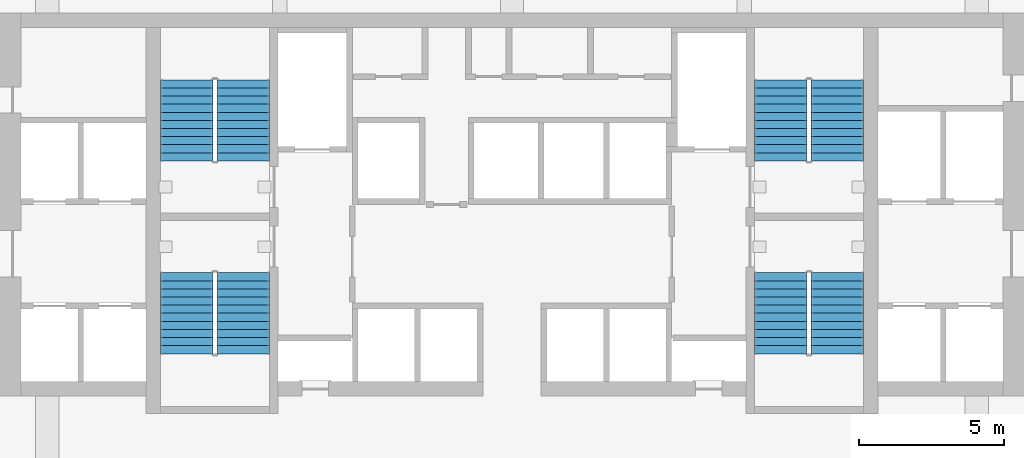
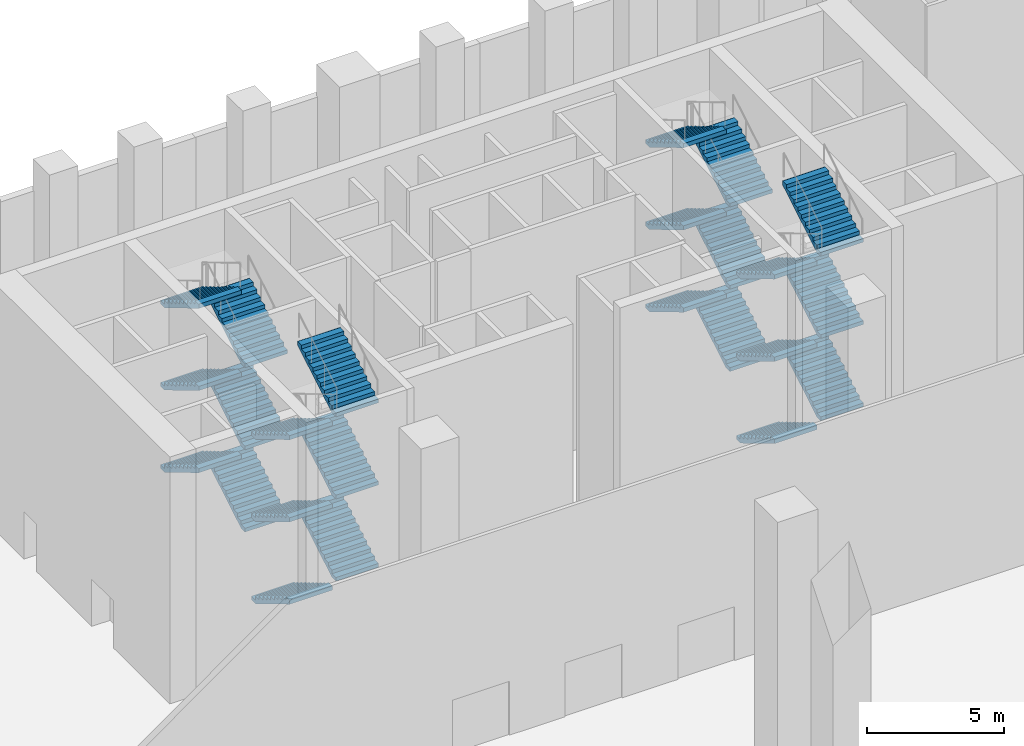
# One storey, part 17 of 31: 24 stair flights, 4 elements without a shape of their own.
"""IFC4 building model written with IfcOpenShell, lengths in metres."""

from ifc_helpers import new_model, si_unit, direction, frame, origin, place, context, subcontext, project, spatial, faceted_brep, source, transform, mapped, material, type_object, element, aggregate, save


model = new_model("IFC4")

# Units and contexts
model_context = context("Model", 3, precision=1e-05, world=origin(), true_north=direction((0.0, 1.0)))
body_context = subcontext(model_context, "Body", "Model", "MODEL_VIEW")
ifc_project = project(units=[si_unit("LENGTHUNIT", "METRE"), si_unit("AREAUNIT", "SQUARE_METRE"), si_unit("VOLUMEUNIT", "CUBIC_METRE"), si_unit("PLANEANGLEUNIT", "RADIAN"), si_unit("MASSUNIT", "GRAM", prefix="KILO")], contexts=[model_context])

# Site, building, storey
site_placement = place(None, origin())
site = spatial("IfcSite", under=ifc_project, at=site_placement, CompositionType="ELEMENT")
building_placement = place(site_placement, origin())
building = spatial("IfcBuilding", under=site, at=building_placement, Name="Calabash Gate Tower", CompositionType="ELEMENT")
storey_placement = place(building_placement, frame((0.0, 0.0, 9.0)))
storey = spatial("IfcBuildingStorey", under=building, at=storey_placement, Name="L01", CompositionType="ELEMENT", Elevation=9.0)

# Stair, stair flights
ifc_material_1 = material(Name="Concrete C40/50", Category="concrete")
stair_type = type_object("IfcStairType", Name="Exit stair 66 risers of 166.7 mm", PredefinedType="HALF_TURN_STAIR", material=ifc_material_1)
stair_1_placement = place(storey_placement, origin())
stair_1 = element("IfcStair", 1, at=stair_1_placement, inside=storey, type_object=stair_type, Name="L01 Exit stair ST1", PredefinedType="HALF_TURN_STAIR")
ifc_material_2 = material(Name="Concrete C40/50", Category="concrete")
stair_flight_type = type_object("IfcStairFlightType", Name="Exit stair flight SFL", PredefinedType="STRAIGHT", material=ifc_material_2)
shared_shape = source(origin(), body_context, "Body", "Brep", [
    faceted_brep([(-0.0009765625, -0.89990234375, 0.0), (0.292236328125, -0.89990234375, 0.0), (2.791015625, -0.89990234375, 1.491943359375), (-0.0009765625, 0.89990234375, 0.0), (2.791015625, 0.89990234375, 1.491943359375), (0.292236328125, 0.89990234375, 0.0), (2.791015625, -0.89990234375, 1.6787109375), (2.7900390625, -0.89990234375, 1.6787109375), (2.7900390625, 0.89990234375, 1.6787109375), (2.791015625, 0.89990234375, 1.6787109375), (2.7900390625, -0.89990234375, 1.666748046875), (2.7900390625, 0.89990234375, 1.666748046875), (2.510986328125, -0.89990234375, 1.666748046875), (2.510986328125, 0.89990234375, 1.666748046875), (2.510986328125, -0.89990234375, 1.5), (2.510986328125, 0.89990234375, 1.5), (2.23193359375, -0.89990234375, 1.5), (2.23193359375, 0.89990234375, 1.5), (2.23193359375, -0.89990234375, 1.333251953125), (2.23193359375, 0.89990234375, 1.333251953125), (1.952880859375, -0.89990234375, 1.333251953125), (1.952880859375, -0.89990234375, 1.166748046875), (1.952880859375, 0.89990234375, 1.166748046875), (1.952880859375, 0.89990234375, 1.333251953125), (1.674072265625, -0.89990234375, 1.166748046875), (1.674072265625, -0.89990234375, 1.0), (1.674072265625, 0.89990234375, 1.0), (1.674072265625, 0.89990234375, 1.166748046875), (1.39501953125, -0.89990234375, 1.0), (1.39501953125, -0.89990234375, 0.833251953125), (1.39501953125, 0.89990234375, 0.833251953125), (1.39501953125, 0.89990234375, 1.0), (1.115966796875, -0.89990234375, 0.833251953125), (1.115966796875, -0.89990234375, 0.666748046875), (1.115966796875, 0.89990234375, 0.666748046875), (1.115966796875, 0.89990234375, 0.833251953125), (0.8369140625, -0.89990234375, 0.666748046875), (0.8369140625, -0.89990234375, 0.5), (0.8369140625, 0.89990234375, 0.5), (0.8369140625, 0.89990234375, 0.666748046875), (0.55810546875, -0.89990234375, 0.5), (0.55810546875, -0.89990234375, 0.333251953125), (0.55810546875, 0.89990234375, 0.333251953125), (0.55810546875, 0.89990234375, 0.5), (0.279052734375, -0.89990234375, 0.333251953125), (0.279052734375, -0.89990234375, 0.166748046875), (0.279052734375, 0.89990234375, 0.166748046875), (0.279052734375, 0.89990234375, 0.333251953125), (-0.0009765625, -0.89990234375, 0.166748046875), (-0.0009765625, 0.89990234375, 0.166748046875), (0.292236328125, -0.360107421875, 0.0), (2.791015625, -0.360107421875, 1.491943359375), (0.292236328125, 0.0, 0.0), (2.791015625, 0.0, 1.491943359375), (0.292236328125, 0.360107421875, 0.0), (2.791015625, 0.360107421875, 1.491943359375), (2.791015625, -0.360107421875, 1.6787109375), (2.791015625, 0.0, 1.6787109375), (2.791015625, 0.360107421875, 1.6787109375), (2.7900390625, -0.360107421875, 1.6787109375), (2.7900390625, 0.0, 1.6787109375), (2.7900390625, 0.360107421875, 1.6787109375), (2.7900390625, -0.360107421875, 1.666748046875), (2.7900390625, 0.0, 1.666748046875), (2.7900390625, 0.360107421875, 1.666748046875), (2.510986328125, -0.360107421875, 1.666748046875), (2.510986328125, 0.0, 1.666748046875), (2.510986328125, 0.360107421875, 1.666748046875), (2.510986328125, -0.360107421875, 1.5), (2.510986328125, 0.0, 1.5), (2.510986328125, 0.360107421875, 1.5), (2.23193359375, -0.360107421875, 1.5), (2.23193359375, 0.0, 1.5), (2.23193359375, 0.360107421875, 1.5), (2.23193359375, -0.360107421875, 1.333251953125), (2.23193359375, 0.0, 1.333251953125), (2.23193359375, 0.360107421875, 1.333251953125), (1.952880859375, -0.360107421875, 1.333251953125), (1.952880859375, 0.0, 1.333251953125), (1.952880859375, 0.360107421875, 1.333251953125), (1.952880859375, -0.360107421875, 1.166748046875), (1.952880859375, 0.0, 1.166748046875), (1.952880859375, 0.360107421875, 1.166748046875), (1.674072265625, -0.360107421875, 1.166748046875), (1.674072265625, 0.0, 1.166748046875), (1.674072265625, 0.360107421875, 1.166748046875), (1.674072265625, -0.360107421875, 1.0), (1.674072265625, 0.0, 1.0), (1.674072265625, 0.360107421875, 1.0), (1.39501953125, -0.360107421875, 1.0), (1.39501953125, 0.0, 1.0), (1.39501953125, 0.360107421875, 1.0), (1.39501953125, -0.360107421875, 0.833251953125), (1.39501953125, 0.0, 0.833251953125), (1.39501953125, 0.360107421875, 0.833251953125), (1.115966796875, -0.360107421875, 0.833251953125), (1.115966796875, 0.0, 0.833251953125), (1.115966796875, 0.360107421875, 0.833251953125), (1.115966796875, -0.360107421875, 0.666748046875), (1.115966796875, 0.0, 0.666748046875), (1.115966796875, 0.360107421875, 0.666748046875), (0.8369140625, -0.360107421875, 0.666748046875), (0.8369140625, 0.0, 0.666748046875), (0.8369140625, 0.360107421875, 0.666748046875), (0.8369140625, -0.360107421875, 0.5), (0.8369140625, 0.0, 0.5), (0.8369140625, 0.360107421875, 0.5), (0.55810546875, -0.360107421875, 0.5), (0.55810546875, 0.0, 0.5), (0.55810546875, 0.360107421875, 0.5), (0.55810546875, -0.360107421875, 0.333251953125), (0.55810546875, 0.0, 0.333251953125), (0.55810546875, 0.360107421875, 0.333251953125), (0.279052734375, -0.360107421875, 0.333251953125), (0.279052734375, 0.0, 0.333251953125), (0.279052734375, 0.360107421875, 0.333251953125), (0.279052734375, -0.360107421875, 0.166748046875), (0.279052734375, 0.0, 0.166748046875), (0.279052734375, 0.360107421875, 0.166748046875), (-0.0009765625, -0.360107421875, 0.166748046875), (-0.0009765625, 0.0, 0.166748046875), (-0.0009765625, 0.360107421875, 0.166748046875), (-0.0009765625, -0.360107421875, 0.0), (-0.0009765625, 0.0, 0.0), (-0.0009765625, 0.360107421875, 0.0)], [[[0, 1, 2]], [[3, 4, 5]], [[2, 6, 7]], [[4, 8, 9]], [[2, 7, 10]], [[4, 11, 8]], [[2, 10, 12]], [[4, 13, 11]], [[2, 12, 14]], [[4, 15, 13]], [[2, 14, 16]], [[4, 17, 15]], [[2, 16, 18]], [[4, 19, 17]], [[18, 20, 21]], [[19, 22, 23]], [[2, 18, 21]], [[4, 22, 19]], [[21, 24, 25]], [[22, 26, 27]], [[2, 21, 25]], [[4, 26, 22]], [[25, 28, 29]], [[26, 30, 31]], [[2, 25, 29]], [[4, 30, 26]], [[29, 32, 33]], [[30, 34, 35]], [[2, 29, 33]], [[4, 34, 30]], [[33, 36, 37]], [[34, 38, 39]], [[2, 33, 37]], [[4, 38, 34]], [[37, 40, 41]], [[38, 42, 43]], [[2, 37, 41]], [[4, 42, 38]], [[41, 44, 45]], [[42, 46, 47]], [[2, 41, 45]], [[4, 46, 42]], [[0, 2, 45]], [[3, 46, 4]], [[45, 48, 0]], [[46, 3, 49]], [[1, 50, 2]], [[50, 51, 2]], [[50, 52, 51]], [[52, 53, 51]], [[52, 54, 55]], [[52, 55, 53]], [[54, 5, 4]], [[54, 4, 55]], [[2, 51, 6]], [[51, 56, 6]], [[51, 53, 56]], [[53, 57, 56]], [[53, 55, 58]], [[53, 58, 57]], [[55, 4, 9]], [[55, 9, 58]], [[6, 56, 7]], [[56, 59, 7]], [[56, 57, 59]], [[57, 60, 59]], [[57, 58, 61]], [[57, 61, 60]], [[58, 9, 8]], [[58, 8, 61]], [[7, 59, 10]], [[59, 62, 10]], [[59, 60, 62]], [[60, 63, 62]], [[60, 61, 64]], [[60, 64, 63]], [[61, 8, 11]], [[61, 11, 64]], [[10, 62, 12]], [[62, 65, 12]], [[62, 63, 65]], [[63, 66, 65]], [[63, 64, 67]], [[63, 67, 66]], [[64, 11, 13]], [[64, 13, 67]], [[12, 65, 14]], [[65, 68, 14]], [[65, 66, 68]], [[66, 69, 68]], [[66, 67, 70]], [[66, 70, 69]], [[67, 13, 15]], [[67, 15, 70]], [[14, 68, 16]], [[68, 71, 16]], [[68, 69, 71]], [[69, 72, 71]], [[69, 70, 73]], [[69, 73, 72]], [[70, 15, 17]], [[70, 17, 73]], [[16, 71, 18]], [[71, 74, 18]], [[71, 72, 74]], [[72, 75, 74]], [[72, 73, 76]], [[72, 76, 75]], [[73, 17, 19]], [[73, 19, 76]], [[18, 74, 20]], [[74, 77, 20]], [[74, 75, 77]], [[75, 78, 77]], [[75, 76, 79]], [[75, 79, 78]], [[76, 19, 23]], [[76, 23, 79]], [[20, 77, 21]], [[77, 80, 21]], [[77, 78, 80]], [[78, 81, 80]], [[78, 79, 82]], [[78, 82, 81]], [[79, 23, 22]], [[79, 22, 82]], [[21, 80, 24]], [[80, 83, 24]], [[80, 81, 83]], [[81, 84, 83]], [[81, 82, 85]], [[81, 85, 84]], [[82, 22, 27]], [[82, 27, 85]], [[24, 83, 25]], [[83, 86, 25]], [[83, 84, 86]], [[84, 87, 86]], [[84, 85, 88]], [[84, 88, 87]], [[85, 27, 26]], [[85, 26, 88]], [[25, 86, 28]], [[86, 89, 28]], [[86, 87, 89]], [[87, 90, 89]], [[87, 88, 91]], [[87, 91, 90]], [[88, 26, 31]], [[88, 31, 91]], [[28, 89, 29]], [[89, 92, 29]], [[89, 90, 92]], [[90, 93, 92]], [[90, 91, 94]], [[90, 94, 93]], [[91, 31, 30]], [[91, 30, 94]], [[29, 92, 32]], [[92, 95, 32]], [[92, 93, 95]], [[93, 96, 95]], [[93, 94, 97]], [[93, 97, 96]], [[94, 30, 35]], [[94, 35, 97]], [[32, 95, 33]], [[95, 98, 33]], [[95, 96, 98]], [[96, 99, 98]], [[96, 97, 100]], [[96, 100, 99]], [[97, 35, 34]], [[97, 34, 100]], [[33, 98, 36]], [[98, 101, 36]], [[98, 99, 101]], [[99, 102, 101]], [[99, 100, 103]], [[99, 103, 102]], [[100, 34, 39]], [[100, 39, 103]], [[36, 101, 37]], [[101, 104, 37]], [[101, 102, 104]], [[102, 105, 104]], [[102, 103, 106]], [[102, 106, 105]], [[103, 39, 38]], [[103, 38, 106]], [[37, 104, 40]], [[104, 107, 40]], [[104, 105, 107]], [[105, 108, 107]], [[105, 106, 109]], [[105, 109, 108]], [[106, 38, 43]], [[106, 43, 109]], [[40, 107, 41]], [[107, 110, 41]], [[107, 108, 110]], [[108, 111, 110]], [[108, 109, 112]], [[108, 112, 111]], [[109, 43, 42]], [[109, 42, 112]], [[41, 110, 44]], [[110, 113, 44]], [[110, 111, 113]], [[111, 114, 113]], [[111, 112, 115]], [[111, 115, 114]], [[112, 42, 47]], [[112, 47, 115]], [[44, 113, 45]], [[113, 116, 45]], [[113, 114, 116]], [[114, 117, 116]], [[114, 115, 118]], [[114, 118, 117]], [[115, 47, 46]], [[115, 46, 118]], [[45, 116, 48]], [[116, 119, 48]], [[116, 117, 119]], [[117, 120, 119]], [[117, 118, 121]], [[117, 121, 120]], [[118, 46, 49]], [[118, 49, 121]], [[48, 119, 0]], [[119, 122, 0]], [[119, 120, 122]], [[120, 123, 122]], [[120, 121, 124]], [[120, 124, 123]], [[121, 49, 3]], [[121, 3, 124]], [[0, 122, 1]], [[122, 50, 1]], [[122, 123, 50]], [[123, 52, 50]], [[123, 124, 54]], [[123, 54, 52]], [[124, 3, 5]], [[124, 5, 54]]]),
])
stair_flight_1_placement = place(storey_placement, frame((-9.25, 13.95263671875, 0.0), z_axis=(0.0, 0.0, 1.0), x_axis=(0.0, 1.0, 0.0)))
stair_flight_1 = element("IfcStairFlight", 2, at=stair_flight_1_placement, type_object=stair_flight_type, Name="ST1 flight 1", NumberOfRisers=11, NumberOfTreads=10, PredefinedType="STRAIGHT", RiserHeight=0.166666667, TreadLength=0.279, context=body_context, shape_type="MappedRepresentation", body=[
    mapped(shared_shape, transform((0.0, 0.0, 0.0), scale=1.0)),
])
stair_flight_2_placement = place(storey_placement, frame((-11.199951171875, 16.74267578125, 1.833251953125), z_axis=(0.0, 0.0, 1.0), x_axis=(0.0, -1.0, 0.0)))
stair_flight_2 = element("IfcStairFlight", 3, at=stair_flight_2_placement, type_object=stair_flight_type, Name="ST1 flight 2", NumberOfRisers=11, NumberOfTreads=10, PredefinedType="STRAIGHT", RiserHeight=0.166666667, TreadLength=0.279, context=body_context, shape_type="MappedRepresentation", body=[
    mapped(shared_shape, transform((0.0, 0.0, 0.0), scale=1.0)),
])
stair_flight_3_placement = place(storey_placement, frame((-9.25, 13.95263671875, 3.666748046875), z_axis=(0.0, 0.0, 1.0), x_axis=(0.0, 1.0, 0.0)))
stair_flight_3 = element("IfcStairFlight", 4, at=stair_flight_3_placement, type_object=stair_flight_type, Name="ST1 flight 3", NumberOfRisers=11, NumberOfTreads=10, PredefinedType="STRAIGHT", RiserHeight=0.166666667, TreadLength=0.279, context=body_context, shape_type="MappedRepresentation", body=[
    mapped(shared_shape, transform((0.0, 0.0, 0.0), scale=1.0)),
])
stair_flight_4_placement = place(storey_placement, frame((-11.199951171875, 16.74267578125, 5.5), z_axis=(0.0, 0.0, 1.0), x_axis=(0.0, -1.0, 0.0)))
stair_flight_4 = element("IfcStairFlight", 5, at=stair_flight_4_placement, type_object=stair_flight_type, Name="ST1 flight 4", NumberOfRisers=11, NumberOfTreads=10, PredefinedType="STRAIGHT", RiserHeight=0.166666667, TreadLength=0.279, context=body_context, shape_type="MappedRepresentation", body=[
    mapped(shared_shape, transform((0.0, 0.0, 0.0), scale=1.0)),
])
stair_flight_5_placement = place(storey_placement, frame((-9.25, 13.95263671875, 7.333251953125), z_axis=(0.0, 0.0, 1.0), x_axis=(0.0, 1.0, 0.0)))
stair_flight_5 = element("IfcStairFlight", 6, at=stair_flight_5_placement, type_object=stair_flight_type, Name="ST1 flight 5", NumberOfRisers=11, NumberOfTreads=10, PredefinedType="STRAIGHT", RiserHeight=0.166666667, TreadLength=0.279, context=body_context, shape_type="MappedRepresentation", body=[
    mapped(shared_shape, transform((0.0, 0.0, 0.0), scale=1.0)),
])
stair_flight_6_placement = place(storey_placement, frame((-11.199951171875, 16.74267578125, 9.166748046875), z_axis=(0.0, 0.0, 1.0), x_axis=(0.0, -1.0, 0.0)))
stair_flight_6 = element("IfcStairFlight", 7, at=stair_flight_6_placement, type_object=stair_flight_type, Name="ST1 flight 6", NumberOfRisers=11, NumberOfTreads=10, PredefinedType="STRAIGHT", RiserHeight=0.166666667, TreadLength=0.279, context=body_context, shape_type="MappedRepresentation", body=[
    mapped(shared_shape, transform((0.0, 0.0, 0.0), scale=1.0)),
])
aggregate(stair_1, [stair_flight_1, stair_flight_2, stair_flight_3, stair_flight_4, stair_flight_5, stair_flight_6])

stair_2_placement = place(storey_placement, origin())
stair_2 = element("IfcStair", 8, at=stair_2_placement, inside=storey, type_object=stair_type, Name="L01 Exit stair ST2", PredefinedType="HALF_TURN_STAIR")
stair_flight_7_placement = place(storey_placement, frame((-11.199951171875, 10.1025390625, 0.0), z_axis=(0.0, 0.0, 1.0), x_axis=(0.0, -1.0, 0.0)))
stair_flight_7 = element("IfcStairFlight", 9, at=stair_flight_7_placement, type_object=stair_flight_type, Name="ST2 flight 1", NumberOfRisers=11, NumberOfTreads=10, PredefinedType="STRAIGHT", RiserHeight=0.166666667, TreadLength=0.279, context=body_context, shape_type="MappedRepresentation", body=[
    mapped(shared_shape, transform((0.0, 0.0, 0.0), scale=1.0)),
])
stair_flight_8_placement = place(storey_placement, frame((-9.25, 7.3125, 1.833251953125), z_axis=(0.0, 0.0, 1.0), x_axis=(0.0, 1.0, 0.0)))
stair_flight_8 = element("IfcStairFlight", 10, at=stair_flight_8_placement, type_object=stair_flight_type, Name="ST2 flight 2", NumberOfRisers=11, NumberOfTreads=10, PredefinedType="STRAIGHT", RiserHeight=0.166666667, TreadLength=0.279, context=body_context, shape_type="MappedRepresentation", body=[
    mapped(shared_shape, transform((0.0, 0.0, 0.0), scale=1.0)),
])
stair_flight_9_placement = place(storey_placement, frame((-11.199951171875, 10.1025390625, 3.666748046875), z_axis=(0.0, 0.0, 1.0), x_axis=(0.0, -1.0, 0.0)))
stair_flight_9 = element("IfcStairFlight", 11, at=stair_flight_9_placement, type_object=stair_flight_type, Name="ST2 flight 3", NumberOfRisers=11, NumberOfTreads=10, PredefinedType="STRAIGHT", RiserHeight=0.166666667, TreadLength=0.279, context=body_context, shape_type="MappedRepresentation", body=[
    mapped(shared_shape, transform((0.0, 0.0, 0.0), scale=1.0)),
])
stair_flight_10_placement = place(storey_placement, frame((-9.25, 7.3125, 5.5), z_axis=(0.0, 0.0, 1.0), x_axis=(0.0, 1.0, 0.0)))
stair_flight_10 = element("IfcStairFlight", 12, at=stair_flight_10_placement, type_object=stair_flight_type, Name="ST2 flight 4", NumberOfRisers=11, NumberOfTreads=10, PredefinedType="STRAIGHT", RiserHeight=0.166666667, TreadLength=0.279, context=body_context, shape_type="MappedRepresentation", body=[
    mapped(shared_shape, transform((0.0, 0.0, 0.0), scale=1.0)),
])
stair_flight_11_placement = place(storey_placement, frame((-11.199951171875, 10.1025390625, 7.333251953125), z_axis=(0.0, 0.0, 1.0), x_axis=(0.0, -1.0, 0.0)))
stair_flight_11 = element("IfcStairFlight", 13, at=stair_flight_11_placement, type_object=stair_flight_type, Name="ST2 flight 5", NumberOfRisers=11, NumberOfTreads=10, PredefinedType="STRAIGHT", RiserHeight=0.166666667, TreadLength=0.279, context=body_context, shape_type="MappedRepresentation", body=[
    mapped(shared_shape, transform((0.0, 0.0, 0.0), scale=1.0)),
])
stair_flight_12_placement = place(storey_placement, frame((-9.25, 7.3125, 9.166748046875), z_axis=(0.0, 0.0, 1.0), x_axis=(0.0, 1.0, 0.0)))
stair_flight_12 = element("IfcStairFlight", 14, at=stair_flight_12_placement, type_object=stair_flight_type, Name="ST2 flight 6", NumberOfRisers=11, NumberOfTreads=10, PredefinedType="STRAIGHT", RiserHeight=0.166666667, TreadLength=0.279, context=body_context, shape_type="MappedRepresentation", body=[
    mapped(shared_shape, transform((0.0, 0.0, 0.0), scale=1.0)),
])
aggregate(stair_2, [stair_flight_7, stair_flight_8, stair_flight_9, stair_flight_10, stair_flight_11, stair_flight_12])

stair_3_placement = place(storey_placement, origin())
stair_3 = element("IfcStair", 15, at=stair_3_placement, inside=storey, type_object=stair_type, Name="L01 Exit stair ST3", PredefinedType="HALF_TURN_STAIR")
stair_flight_13_placement = place(storey_placement, frame((11.199951171875, 13.95263671875, 0.0), z_axis=(0.0, 0.0, 1.0), x_axis=(0.0, 1.0, 0.0)))
stair_flight_13 = element("IfcStairFlight", 16, at=stair_flight_13_placement, type_object=stair_flight_type, Name="ST3 flight 1", NumberOfRisers=11, NumberOfTreads=10, PredefinedType="STRAIGHT", RiserHeight=0.166666667, TreadLength=0.279, context=body_context, shape_type="MappedRepresentation", body=[
    mapped(shared_shape, transform((0.0, 0.0, 0.0), scale=1.0)),
])
stair_flight_14_placement = place(storey_placement, frame((9.25, 16.74267578125, 1.833251953125), z_axis=(0.0, 0.0, 1.0), x_axis=(0.0, -1.0, 0.0)))
stair_flight_14 = element("IfcStairFlight", 17, at=stair_flight_14_placement, type_object=stair_flight_type, Name="ST3 flight 2", NumberOfRisers=11, NumberOfTreads=10, PredefinedType="STRAIGHT", RiserHeight=0.166666667, TreadLength=0.279, context=body_context, shape_type="MappedRepresentation", body=[
    mapped(shared_shape, transform((0.0, 0.0, 0.0), scale=1.0)),
])
stair_flight_15_placement = place(storey_placement, frame((11.199951171875, 13.95263671875, 3.666748046875), z_axis=(0.0, 0.0, 1.0), x_axis=(0.0, 1.0, 0.0)))
stair_flight_15 = element("IfcStairFlight", 18, at=stair_flight_15_placement, type_object=stair_flight_type, Name="ST3 flight 3", NumberOfRisers=11, NumberOfTreads=10, PredefinedType="STRAIGHT", RiserHeight=0.166666667, TreadLength=0.279, context=body_context, shape_type="MappedRepresentation", body=[
    mapped(shared_shape, transform((0.0, 0.0, 0.0), scale=1.0)),
])
stair_flight_16_placement = place(storey_placement, frame((9.25, 16.74267578125, 5.5), z_axis=(0.0, 0.0, 1.0), x_axis=(0.0, -1.0, 0.0)))
stair_flight_16 = element("IfcStairFlight", 19, at=stair_flight_16_placement, type_object=stair_flight_type, Name="ST3 flight 4", NumberOfRisers=11, NumberOfTreads=10, PredefinedType="STRAIGHT", RiserHeight=0.166666667, TreadLength=0.279, context=body_context, shape_type="MappedRepresentation", body=[
    mapped(shared_shape, transform((0.0, 0.0, 0.0), scale=1.0)),
])
stair_flight_17_placement = place(storey_placement, frame((11.199951171875, 13.95263671875, 7.333251953125), z_axis=(0.0, 0.0, 1.0), x_axis=(0.0, 1.0, 0.0)))
stair_flight_17 = element("IfcStairFlight", 20, at=stair_flight_17_placement, type_object=stair_flight_type, Name="ST3 flight 5", NumberOfRisers=11, NumberOfTreads=10, PredefinedType="STRAIGHT", RiserHeight=0.166666667, TreadLength=0.279, context=body_context, shape_type="MappedRepresentation", body=[
    mapped(shared_shape, transform((0.0, 0.0, 0.0), scale=1.0)),
])
stair_flight_18_placement = place(storey_placement, frame((9.25, 16.74267578125, 9.166748046875), z_axis=(0.0, 0.0, 1.0), x_axis=(0.0, -1.0, 0.0)))
stair_flight_18 = element("IfcStairFlight", 21, at=stair_flight_18_placement, type_object=stair_flight_type, Name="ST3 flight 6", NumberOfRisers=11, NumberOfTreads=10, PredefinedType="STRAIGHT", RiserHeight=0.166666667, TreadLength=0.279, context=body_context, shape_type="MappedRepresentation", body=[
    mapped(shared_shape, transform((0.0, 0.0, 0.0), scale=1.0)),
])
aggregate(stair_3, [stair_flight_13, stair_flight_14, stair_flight_15, stair_flight_16, stair_flight_17, stair_flight_18])

stair_4_placement = place(storey_placement, origin())
stair_4 = element("IfcStair", 22, at=stair_4_placement, inside=storey, type_object=stair_type, Name="L01 Exit stair ST4", PredefinedType="HALF_TURN_STAIR")
stair_flight_19_placement = place(storey_placement, frame((9.25, 10.1025390625, 0.0), z_axis=(0.0, 0.0, 1.0), x_axis=(0.0, -1.0, 0.0)))
stair_flight_19 = element("IfcStairFlight", 23, at=stair_flight_19_placement, type_object=stair_flight_type, Name="ST4 flight 1", NumberOfRisers=11, NumberOfTreads=10, PredefinedType="STRAIGHT", RiserHeight=0.166666667, TreadLength=0.279, context=body_context, shape_type="MappedRepresentation", body=[
    mapped(shared_shape, transform((0.0, 0.0, 0.0), scale=1.0)),
])
stair_flight_20_placement = place(storey_placement, frame((11.199951171875, 7.3125, 1.833251953125), z_axis=(0.0, 0.0, 1.0), x_axis=(0.0, 1.0, 0.0)))
stair_flight_20 = element("IfcStairFlight", 24, at=stair_flight_20_placement, type_object=stair_flight_type, Name="ST4 flight 2", NumberOfRisers=11, NumberOfTreads=10, PredefinedType="STRAIGHT", RiserHeight=0.166666667, TreadLength=0.279, context=body_context, shape_type="MappedRepresentation", body=[
    mapped(shared_shape, transform((0.0, 0.0, 0.0), scale=1.0)),
])
stair_flight_21_placement = place(storey_placement, frame((9.25, 10.1025390625, 3.666748046875), z_axis=(0.0, 0.0, 1.0), x_axis=(0.0, -1.0, 0.0)))
stair_flight_21 = element("IfcStairFlight", 25, at=stair_flight_21_placement, type_object=stair_flight_type, Name="ST4 flight 3", NumberOfRisers=11, NumberOfTreads=10, PredefinedType="STRAIGHT", RiserHeight=0.166666667, TreadLength=0.279, context=body_context, shape_type="MappedRepresentation", body=[
    mapped(shared_shape, transform((0.0, 0.0, 0.0), scale=1.0)),
])
stair_flight_22_placement = place(storey_placement, frame((11.199951171875, 7.3125, 5.5), z_axis=(0.0, 0.0, 1.0), x_axis=(0.0, 1.0, 0.0)))
stair_flight_22 = element("IfcStairFlight", 26, at=stair_flight_22_placement, type_object=stair_flight_type, Name="ST4 flight 4", NumberOfRisers=11, NumberOfTreads=10, PredefinedType="STRAIGHT", RiserHeight=0.166666667, TreadLength=0.279, context=body_context, shape_type="MappedRepresentation", body=[
    mapped(shared_shape, transform((0.0, 0.0, 0.0), scale=1.0)),
])
stair_flight_23_placement = place(storey_placement, frame((9.25, 10.1025390625, 7.333251953125), z_axis=(0.0, 0.0, 1.0), x_axis=(0.0, -1.0, 0.0)))
stair_flight_23 = element("IfcStairFlight", 27, at=stair_flight_23_placement, type_object=stair_flight_type, Name="ST4 flight 5", NumberOfRisers=11, NumberOfTreads=10, PredefinedType="STRAIGHT", RiserHeight=0.166666667, TreadLength=0.279, context=body_context, shape_type="MappedRepresentation", body=[
    mapped(shared_shape, transform((0.0, 0.0, 0.0), scale=1.0)),
])
stair_flight_24_placement = place(storey_placement, frame((11.199951171875, 7.3125, 9.166748046875), z_axis=(0.0, 0.0, 1.0), x_axis=(0.0, 1.0, 0.0)))
stair_flight_24 = element("IfcStairFlight", 28, at=stair_flight_24_placement, type_object=stair_flight_type, Name="ST4 flight 6", NumberOfRisers=11, NumberOfTreads=10, PredefinedType="STRAIGHT", RiserHeight=0.166666667, TreadLength=0.279, context=body_context, shape_type="MappedRepresentation", body=[
    mapped(shared_shape, transform((0.0, 0.0, 0.0), scale=1.0)),
])
aggregate(stair_4, [stair_flight_19, stair_flight_20, stair_flight_21, stair_flight_22, stair_flight_23, stair_flight_24])

save(model, "model.ifc")
